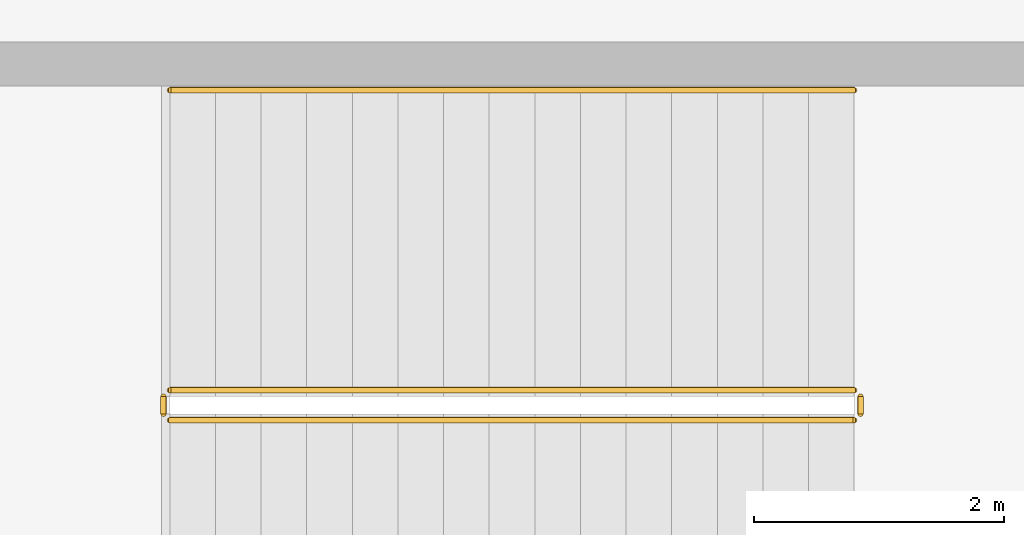
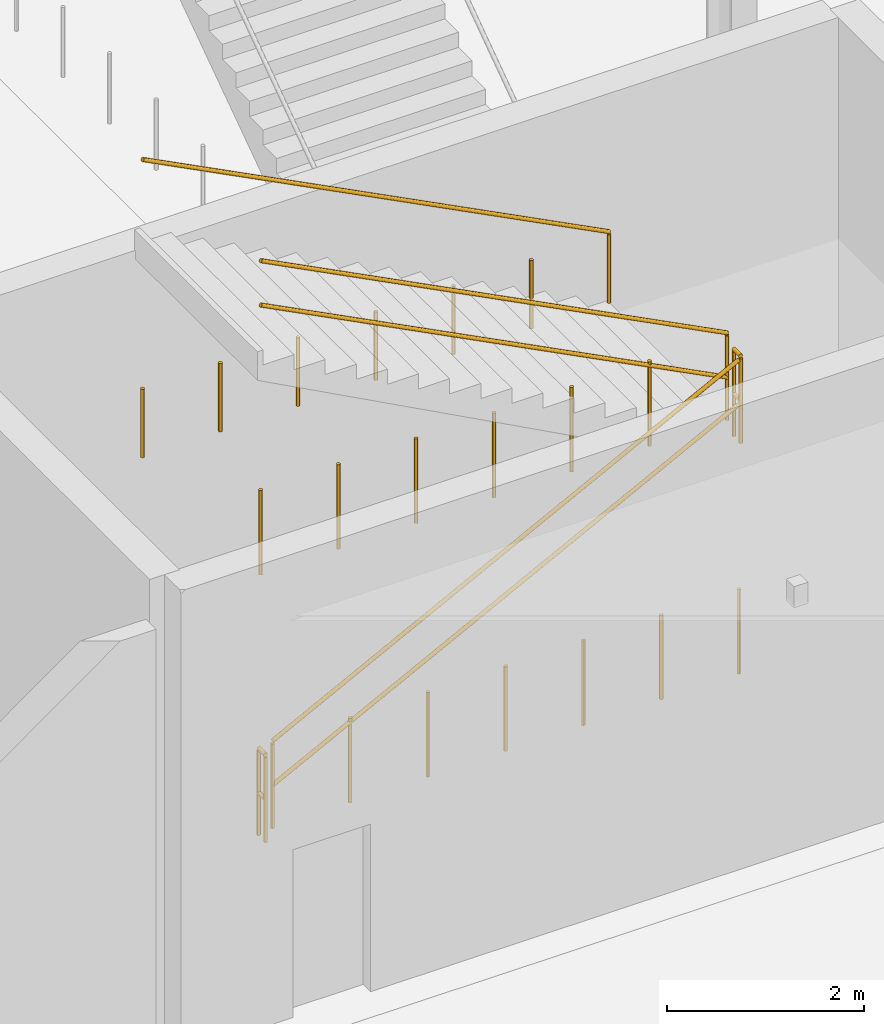
# One storey, part 118 of 124: 5 railings.
"""IFC4 building model written with IfcOpenShell, lengths in metres."""

from ifc_helpers import new_model, si_unit, direction, frame, origin, origin_2d, place, context, subcontext, project, spatial, circle, extrude, material, type_object, element, save


model = new_model("IFC4")

# Units and contexts
model_context = context("Model", 3, precision=1e-05, world=origin(), true_north=direction((0.0, 1.0)))
body_context = subcontext(model_context, "Body", "Model", "MODEL_VIEW")
ifc_project = project(units=[si_unit("LENGTHUNIT", "METRE"), si_unit("AREAUNIT", "SQUARE_METRE"), si_unit("VOLUMEUNIT", "CUBIC_METRE"), si_unit("PLANEANGLEUNIT", "RADIAN"), si_unit("MASSUNIT", "GRAM", prefix="KILO")], contexts=[model_context])

# Site, building, storey
site_placement = place(None, origin())
site = spatial("IfcSite", under=ifc_project, at=site_placement, CompositionType="ELEMENT")
building_placement = place(site_placement, origin())
building = spatial("IfcBuilding", under=site, at=building_placement, Name="Danafjord Basin Convention Centre", CompositionType="ELEMENT")
storey_placement = place(building_placement, origin())
storey = spatial("IfcBuildingStorey", under=building, at=storey_placement, Name="L00", CompositionType="ELEMENT", Elevation=0.0)

# Railings
ifc_material_1 = material(Name="Galvanised steel S355", Category="steel")
railing_type_1 = type_object("IfcRailingType", Name="RL-GD-WELL", PredefinedType="BALUSTRADE", material=ifc_material_1)
railing_1_placement = place(storey_placement, frame((201.080078125, 55.81005859375, 0.1875)))
element("IfcRailing", 1, at=railing_1_placement, inside=storey, type_object=railing_type_1, Name="L00 ST-13 stair guard 1", PredefinedType="BALUSTRADE", context=body_context, shape_type="SweptSolid", body=[
    extrude(circle(Radius=0.02392578125, at=origin_2d()), frame((0.0, 0.0, 1.076171875), z_axis=(0.889495128042, 0.0, 0.456944654405), x_axis=(0.0, 1.0, 0.0)), (0.0, 0.0, 1.0), 6.155029296875),
    extrude(circle(Radius=0.02392578125, at=origin_2d()), frame((0.0, 0.0, 0.52587890625), z_axis=(0.889495128042, 0.0, 0.456944654405), x_axis=(0.0, 1.0, 0.0)), (0.0, 0.0, 1.0), 6.155029296875),
    extrude(circle(Radius=0.02099609375, at=origin_2d()), origin(), (0.0, 0.0, 1.0), 1.050048828125),
    extrude(circle(Radius=0.02099609375, at=origin_2d()), frame((0.91259765625, 0.0, 0.0)), (0.0, 0.0, 1.0), 1.050048828125),
    extrude(circle(Radius=0.02099609375, at=origin_2d()), frame((1.824951171875, 0.0, 0.0)), (0.0, 0.0, 1.0), 1.050048828125),
    extrude(circle(Radius=0.02099609375, at=origin_2d()), frame((2.7373046875, 0.0, 0.0)), (0.0, 0.0, 1.0), 1.050048828125),
    extrude(circle(Radius=0.02099609375, at=origin_2d()), frame((3.64990234375, 0.0, 0.0)), (0.0, 0.0, 1.0), 1.050048828125),
    extrude(circle(Radius=0.02099609375, at=origin_2d()), frame((4.5625, 0.0, 0.0)), (0.0, 0.0, 1.0), 1.050048828125),
    extrude(circle(Radius=0.02099609375, at=origin_2d()), frame((5.474853515625, 0.0, 0.0)), (0.0, 0.0, 1.0), 1.050048828125),
])
railing_2_placement = place(storey_placement, frame((206.60498046875, 55.860107421875, 3.0)))
element("IfcRailing", 2, at=railing_2_placement, inside=storey, type_object=railing_type_1, Name="L00 ST-13 stair guard 2", PredefinedType="BALUSTRADE", context=body_context, shape_type="SweptSolid", body=[
    extrude(circle(Radius=0.02392578125, at=origin_2d()), frame((0.0, 0.0, 1.076171875), z_axis=(0.0, 1.0, 0.0), x_axis=(-1.0, 0.0, 0.0)), (0.0, 0.0, 1.0), 0.139892578125),
    extrude(circle(Radius=0.02392578125, at=origin_2d()), frame((0.0, 0.0, 0.52587890625), z_axis=(0.0, 1.0, 0.0), x_axis=(-1.0, 0.0, 0.0)), (0.0, 0.0, 1.0), 0.139892578125),
    extrude(circle(Radius=0.02099609375, at=origin_2d()), origin(), (0.0, 0.0, 1.0), 1.050048828125),
    extrude(circle(Radius=0.02099609375, at=origin_2d()), frame((0.0, 0.139892578125, 0.0)), (0.0, 0.0, 1.0), 1.050048828125),
])
railing_3_placement = place(storey_placement, frame((206.554931640625, 56.050048828125, 3.1875)))
element("IfcRailing", 3, at=railing_3_placement, inside=storey, type_object=railing_type_1, Name="L00 ST-13 stair guard 3", PredefinedType="BALUSTRADE", context=body_context, shape_type="SweptSolid", body=[
    extrude(circle(Radius=0.02392578125, at=origin_2d()), frame((0.0, 0.0, 1.076171875), z_axis=(-0.889495128042, 0.0, 0.456944654405), x_axis=(0.0, -1.0, 0.0)), (0.0, 0.0, 1.0), 6.155029296875),
    extrude(circle(Radius=0.02392578125, at=origin_2d()), frame((0.0, 0.0, 0.52587890625), z_axis=(-0.889495128042, 0.0, 0.456944654405), x_axis=(0.0, -1.0, 0.0)), (0.0, 0.0, 1.0), 6.155029296875),
    extrude(circle(Radius=0.02099609375, at=origin_2d()), origin(), (0.0, 0.0, 1.0), 1.050048828125),
    extrude(circle(Radius=0.02099609375, at=origin_2d()), frame((-0.91259765625, 0.0, 0.0)), (0.0, 0.0, 1.0), 1.050048828125),
    extrude(circle(Radius=0.02099609375, at=origin_2d()), frame((-1.824951171875, 0.0, 0.0)), (0.0, 0.0, 1.0), 1.050048828125),
    extrude(circle(Radius=0.02099609375, at=origin_2d()), frame((-2.7373046875, 0.0, 0.0)), (0.0, 0.0, 1.0), 1.050048828125),
    extrude(circle(Radius=0.02099609375, at=origin_2d()), frame((-3.64990234375, 0.0, 0.0)), (0.0, 0.0, 1.0), 1.050048828125),
    extrude(circle(Radius=0.02099609375, at=origin_2d()), frame((-4.5625, 0.0, 0.0)), (0.0, 0.0, 1.0), 1.050048828125),
    extrude(circle(Radius=0.02099609375, at=origin_2d()), frame((-5.474853515625, 0.0, 0.0)), (0.0, 0.0, 1.0), 1.050048828125),
])
railing_4_placement = place(storey_placement, frame((201.030029296875, 55.860107421875, 0.0)))
element("IfcRailing", 4, at=railing_4_placement, inside=storey, type_object=railing_type_1, Name="L00 ST-13 stair guard 4", PredefinedType="BALUSTRADE", context=body_context, shape_type="SweptSolid", body=[
    extrude(circle(Radius=0.02392578125, at=origin_2d()), frame((0.0, 0.0, 1.076171875), z_axis=(0.0, 1.0, 0.0), x_axis=(-1.0, 0.0, 0.0)), (0.0, 0.0, 1.0), 0.139892578125),
    extrude(circle(Radius=0.02392578125, at=origin_2d()), frame((0.0, 0.0, 0.52587890625), z_axis=(0.0, 1.0, 0.0), x_axis=(-1.0, 0.0, 0.0)), (0.0, 0.0, 1.0), 0.139892578125),
    extrude(circle(Radius=0.02099609375, at=origin_2d()), origin(), (0.0, 0.0, 1.0), 1.050048828125),
    extrude(circle(Radius=0.02099609375, at=origin_2d()), frame((0.0, 0.139892578125, 0.0)), (0.0, 0.0, 1.0), 1.050048828125),
])
ifc_material_2 = material(Name="Brushed stainless steel EN 1.4404", Category="steel")
railing_type_2 = type_object("IfcRailingType", Name="RL-HR-STAIR", PredefinedType="HANDRAIL", material=ifc_material_2)
railing_5_placement = place(storey_placement, frame((206.554931640625, 58.449951171875, 3.1875)))
element("IfcRailing", 5, at=railing_5_placement, inside=storey, type_object=railing_type_2, Name="L00 ST-13 stair handrail 2", PredefinedType="HANDRAIL", context=body_context, shape_type="SweptSolid", body=[
    extrude(circle(Radius=0.02392578125, at=origin_2d()), frame((0.0, 0.0, 0.8759765625), z_axis=(-0.889495128042, 0.0, 0.456944654405), x_axis=(0.0, -1.0, 0.0)), (0.0, 0.0, 1.0), 6.155029296875),
    extrude(circle(Radius=0.02099609375, at=origin_2d()), origin(), (0.0, 0.0, 1.0), 0.849853515625),
    extrude(circle(Radius=0.02099609375, at=origin_2d()), frame((-0.91259765625, 0.0, 0.0)), (0.0, 0.0, 1.0), 0.849853515625),
    extrude(circle(Radius=0.02099609375, at=origin_2d()), frame((-1.824951171875, 0.0, 0.0)), (0.0, 0.0, 1.0), 0.849853515625),
    extrude(circle(Radius=0.02099609375, at=origin_2d()), frame((-2.7373046875, 0.0, 0.0)), (0.0, 0.0, 1.0), 0.849853515625),
    extrude(circle(Radius=0.02099609375, at=origin_2d()), frame((-3.64990234375, 0.0, 0.0)), (0.0, 0.0, 1.0), 0.849853515625),
    extrude(circle(Radius=0.02099609375, at=origin_2d()), frame((-4.5625, 0.0, 0.0)), (0.0, 0.0, 1.0), 0.849853515625),
    extrude(circle(Radius=0.02099609375, at=origin_2d()), frame((-5.474853515625, 0.0, 0.0)), (0.0, 0.0, 1.0), 0.849853515625),
])

save(model, "model.ifc")
